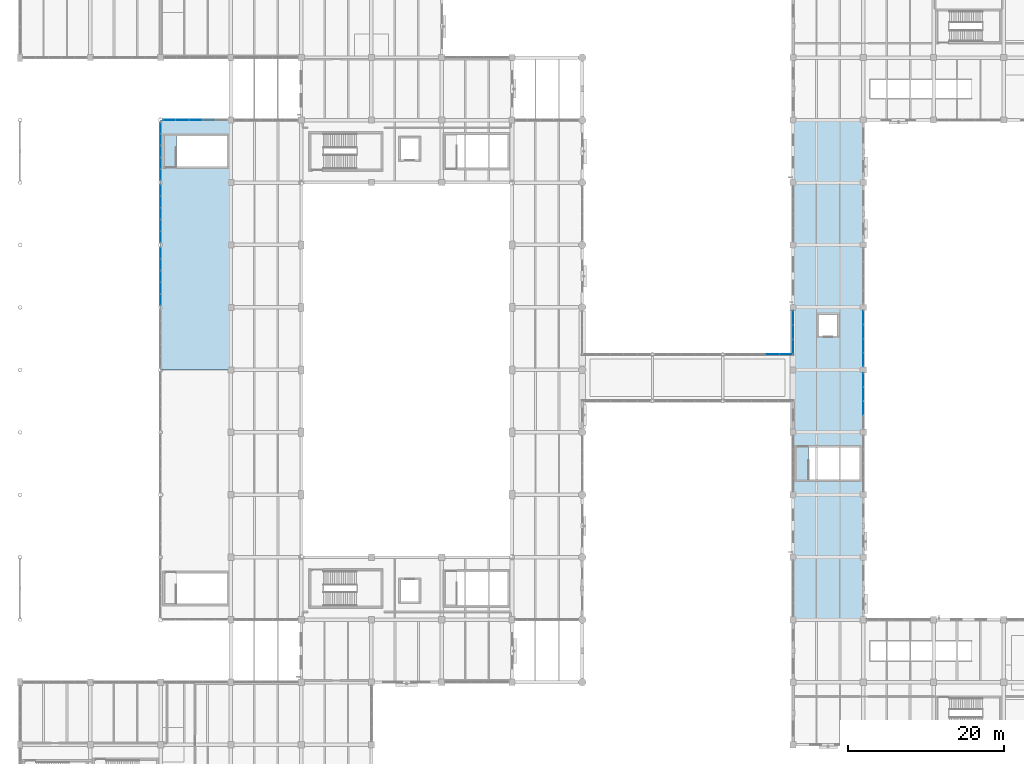
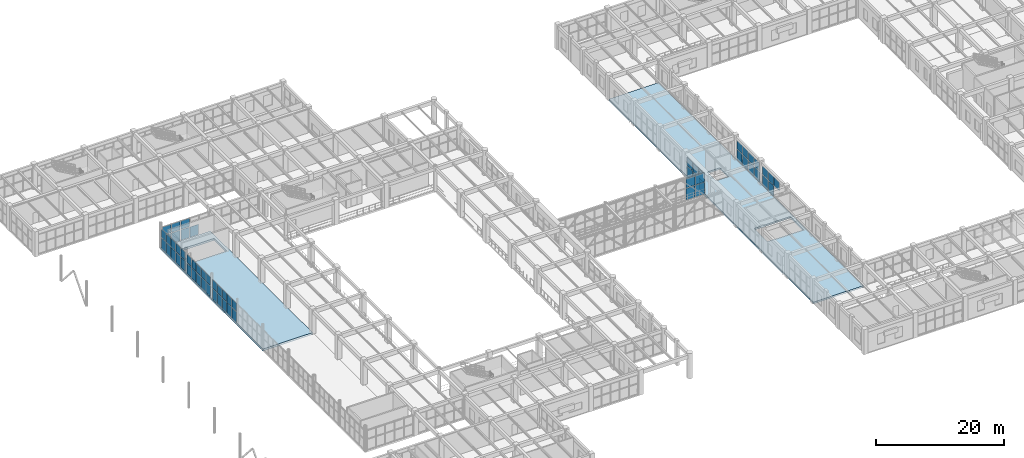
# One storey, part 144 of 178: 60 plates, 2 slabs, 8 elements without a shape of their own.
"""IFC4 building model written with IfcOpenShell, lengths in metres."""

from ifc_helpers import new_model, si_unit, derived_unit, direction, frame, origin, origin_2d, place, context, subcontext, project, spatial, polyline, rectangle, outline, extrude, material, layer, layer_set, type_object, element, aggregate, save


model = new_model("IFC4")

# Units and contexts
model_context = context("Model", 3, precision=1e-05, world=origin(), true_north=direction((0.0, 1.0)))
body_context = subcontext(model_context, "Body", "Model", "MODEL_VIEW")
ifc_project = project(units=[si_unit("LENGTHUNIT", "METRE"), si_unit("AREAUNIT", "SQUARE_METRE"), si_unit("VOLUMEUNIT", "CUBIC_METRE"), si_unit("PLANEANGLEUNIT", "RADIAN"), si_unit("MASSUNIT", "GRAM", prefix="KILO"), derived_unit("THERMALTRANSMITTANCEUNIT", [(si_unit("MASSUNIT", "GRAM", prefix="KILO"), 1), (si_unit("TIMEUNIT", "SECOND"), -3), (si_unit("THERMODYNAMICTEMPERATUREUNIT", "KELVIN"), -1)])], contexts=[model_context])

# Site, building, storey
site_placement = place(None, origin())
site = spatial("IfcSite", under=ifc_project, at=site_placement, CompositionType="ELEMENT")
building_placement = place(site_placement, origin())
building = spatial("IfcBuilding", under=site, at=building_placement, Name="Zhenchuan Archway Interchange", CompositionType="ELEMENT")
storey_placement = place(building_placement, frame((0.0, 0.0, 5.39990234375)))
storey = spatial("IfcBuildingStorey", under=building, at=storey_placement, Name="L01", CompositionType="ELEMENT", Elevation=5.39990234375)

# Curtain wall, plates
ifc_material_1 = material(Name="Anodised Aluminium", Category="aluminium")
curtain_wall_type_1 = type_object("IfcCurtainWallType", Name="CW_UNIT_3", PredefinedType="NOTDEFINED", material=ifc_material_1)
curtain_wall_1_placement = place(storey_placement, origin())
curtain_wall_1 = element("IfcCurtainWall", 1, at=curtain_wall_1_placement, inside=storey, type_object=curtain_wall_type_1, Name="Unitised curtain wall CW:L01:034", PredefinedType="NOTDEFINED")
ifc_material_2 = material(Name="Double Low-E Insulated Glazing", Category="glass")
ifc_layer_1 = layer(ifc_material_2, 0.028076171875)
ifc_layer_set_1 = layer_set([ifc_layer_1], Name="Double Low-E Insulated Glazing")
plate_type_1 = type_object("IfcPlateType", Name="CW_GLZ_1", PredefinedType="CURTAIN_PANEL", material=ifc_layer_set_1)
plate_1_placement = place(storey_placement, frame((18.0, 64.961181640625, 0.080078125), z_axis=(0.0, 0.0, 1.0), x_axis=(0.0, 1.0, 0.0)))
plate_1 = element("IfcPlate", 2, at=plate_1_placement, type_object=plate_type_1, Name="CW:L01:034 lower glazing panel 0", PredefinedType="CURTAIN_PANEL", context=body_context, shape_type="SweptSolid", body=[
    extrude(rectangle(XDim=1.3515625, YDim=0.028076171875, at=origin_2d()), origin(), (0.0, 0.0, 1.0), 1.98291015625),
])
plate_2_placement = place(storey_placement, frame((18.0, 66.462890625, 0.080078125), z_axis=(0.0, 0.0, 1.0), x_axis=(0.0, 1.0, 0.0)))
plate_2 = element("IfcPlate", 3, at=plate_2_placement, type_object=plate_type_1, Name="CW:L01:034 lower glazing panel 1", PredefinedType="CURTAIN_PANEL", context=body_context, shape_type="SweptSolid", body=[
    extrude(rectangle(XDim=1.37158203125, YDim=0.028076171875, at=origin_2d()), origin(), (0.0, 0.0, 1.0), 1.98291015625),
])
plate_3_placement = place(storey_placement, frame((18.0, 67.974609375, 0.080078125), z_axis=(0.0, 0.0, 1.0), x_axis=(0.0, 1.0, 0.0)))
plate_3 = element("IfcPlate", 4, at=plate_3_placement, type_object=plate_type_1, Name="CW:L01:034 lower glazing panel 2", PredefinedType="CURTAIN_PANEL", context=body_context, shape_type="SweptSolid", body=[
    extrude(rectangle(XDim=1.37158203125, YDim=0.028076171875, at=origin_2d()), origin(), (0.0, 0.0, 1.0), 1.98291015625),
])
plate_4_placement = place(storey_placement, frame((18.0, 69.486083984375, 0.080078125), z_axis=(0.0, 0.0, 1.0), x_axis=(0.0, 1.0, 0.0)))
plate_4 = element("IfcPlate", 5, at=plate_4_placement, type_object=plate_type_1, Name="CW:L01:034 lower glazing panel 3", PredefinedType="CURTAIN_PANEL", context=body_context, shape_type="SweptSolid", body=[
    extrude(rectangle(XDim=1.37158203125, YDim=0.028076171875, at=origin_2d()), origin(), (0.0, 0.0, 1.0), 1.98291015625),
])
plate_5_placement = place(storey_placement, frame((18.0, 70.98779296875, 0.080078125), z_axis=(0.0, 0.0, 1.0), x_axis=(0.0, 1.0, 0.0)))
plate_5 = element("IfcPlate", 6, at=plate_5_placement, type_object=plate_type_1, Name="CW:L01:034 lower glazing panel 4", PredefinedType="CURTAIN_PANEL", context=body_context, shape_type="SweptSolid", body=[
    extrude(rectangle(XDim=1.3515625, YDim=0.028076171875, at=origin_2d()), origin(), (0.0, 0.0, 1.0), 1.98291015625),
])

curtain_wall_type_2 = type_object("IfcCurtainWallType", Name="CW_UNIT_4", PredefinedType="NOTDEFINED", material=ifc_material_1)
curtain_wall_2_placement = place(storey_placement, origin())
curtain_wall_2 = element("IfcCurtainWall", 7, at=curtain_wall_2_placement, inside=storey, type_object=curtain_wall_type_2, Name="Unitised curtain wall CW:L01:035", PredefinedType="NOTDEFINED")
plate_6_placement = place(storey_placement, frame((18.0, 73.01220703125, 0.080078125), z_axis=(0.0, 0.0, 1.0), x_axis=(0.0, 1.0, 0.0)))
plate_6 = element("IfcPlate", 8, at=plate_6_placement, type_object=plate_type_1, Name="CW:L01:035 lower glazing panel 0", PredefinedType="CURTAIN_PANEL", context=body_context, shape_type="SweptSolid", body=[
    extrude(rectangle(XDim=1.3515625, YDim=0.028076171875, at=origin_2d()), origin(), (0.0, 0.0, 1.0), 1.98291015625),
])
plate_7_placement = place(storey_placement, frame((18.0, 74.513916015625, 0.080078125), z_axis=(0.0, 0.0, 1.0), x_axis=(0.0, 1.0, 0.0)))
plate_7 = element("IfcPlate", 9, at=plate_7_placement, type_object=plate_type_1, Name="CW:L01:035 lower glazing panel 1", PredefinedType="CURTAIN_PANEL", context=body_context, shape_type="SweptSolid", body=[
    extrude(rectangle(XDim=1.37158203125, YDim=0.028076171875, at=origin_2d()), origin(), (0.0, 0.0, 1.0), 1.98291015625),
])
plate_8_placement = place(storey_placement, frame((18.0, 76.025390625, 0.080078125), z_axis=(0.0, 0.0, 1.0), x_axis=(0.0, 1.0, 0.0)))
plate_8 = element("IfcPlate", 10, at=plate_8_placement, type_object=plate_type_1, Name="CW:L01:035 lower glazing panel 2", PredefinedType="CURTAIN_PANEL", context=body_context, shape_type="SweptSolid", body=[
    extrude(rectangle(XDim=1.37158203125, YDim=0.028076171875, at=origin_2d()), origin(), (0.0, 0.0, 1.0), 1.98291015625),
])
plate_9_placement = place(storey_placement, frame((18.0, 77.537109375, 0.080078125), z_axis=(0.0, 0.0, 1.0), x_axis=(0.0, 1.0, 0.0)))
plate_9 = element("IfcPlate", 11, at=plate_9_placement, type_object=plate_type_1, Name="CW:L01:035 lower glazing panel 3", PredefinedType="CURTAIN_PANEL", context=body_context, shape_type="SweptSolid", body=[
    extrude(rectangle(XDim=1.37158203125, YDim=0.028076171875, at=origin_2d()), origin(), (0.0, 0.0, 1.0), 1.98291015625),
])
plate_10_placement = place(storey_placement, frame((18.0, 79.038818359375, 0.080078125), z_axis=(0.0, 0.0, 1.0), x_axis=(0.0, 1.0, 0.0)))
plate_10 = element("IfcPlate", 12, at=plate_10_placement, type_object=plate_type_1, Name="CW:L01:035 lower glazing panel 4", PredefinedType="CURTAIN_PANEL", context=body_context, shape_type="SweptSolid", body=[
    extrude(rectangle(XDim=1.3515625, YDim=0.028076171875, at=origin_2d()), origin(), (0.0, 0.0, 1.0), 1.98291015625),
])

curtain_wall_type_3 = type_object("IfcCurtainWallType", Name="CW_UNIT_1", PredefinedType="NOTDEFINED", material=ifc_material_1)
curtain_wall_3_placement = place(storey_placement, origin())
curtain_wall_3 = element("IfcCurtainWall", 13, at=curtain_wall_3_placement, inside=storey, type_object=curtain_wall_type_3, Name="Unitised curtain wall CW:L01:036", PredefinedType="NOTDEFINED")
plate_11_placement = place(storey_placement, frame((18.0, 80.961181640625, 0.080078125), z_axis=(0.0, 0.0, 1.0), x_axis=(0.0, 1.0, 0.0)))
plate_11 = element("IfcPlate", 14, at=plate_11_placement, type_object=plate_type_1, Name="CW:L01:036 lower glazing panel 0", PredefinedType="CURTAIN_PANEL", context=body_context, shape_type="SweptSolid", body=[
    extrude(rectangle(XDim=1.3515625, YDim=0.028076171875, at=origin_2d()), origin(), (0.0, 0.0, 1.0), 1.98291015625),
])
plate_12_placement = place(storey_placement, frame((18.0, 82.462890625, 0.080078125), z_axis=(0.0, 0.0, 1.0), x_axis=(0.0, 1.0, 0.0)))
plate_12 = element("IfcPlate", 15, at=plate_12_placement, type_object=plate_type_1, Name="CW:L01:036 lower glazing panel 1", PredefinedType="CURTAIN_PANEL", context=body_context, shape_type="SweptSolid", body=[
    extrude(rectangle(XDim=1.37158203125, YDim=0.028076171875, at=origin_2d()), origin(), (0.0, 0.0, 1.0), 1.98291015625),
])
plate_13_placement = place(storey_placement, frame((18.0, 83.974609375, 0.080078125), z_axis=(0.0, 0.0, 1.0), x_axis=(0.0, 1.0, 0.0)))
plate_13 = element("IfcPlate", 16, at=plate_13_placement, type_object=plate_type_1, Name="CW:L01:036 lower glazing panel 2", PredefinedType="CURTAIN_PANEL", context=body_context, shape_type="SweptSolid", body=[
    extrude(rectangle(XDim=1.37158203125, YDim=0.028076171875, at=origin_2d()), origin(), (0.0, 0.0, 1.0), 1.98291015625),
])
plate_14_placement = place(storey_placement, frame((18.0, 85.486083984375, 0.080078125), z_axis=(0.0, 0.0, 1.0), x_axis=(0.0, 1.0, 0.0)))
plate_14 = element("IfcPlate", 17, at=plate_14_placement, type_object=plate_type_1, Name="CW:L01:036 lower glazing panel 3", PredefinedType="CURTAIN_PANEL", context=body_context, shape_type="SweptSolid", body=[
    extrude(rectangle(XDim=1.37158203125, YDim=0.028076171875, at=origin_2d()), origin(), (0.0, 0.0, 1.0), 1.98291015625),
])
plate_15_placement = place(storey_placement, frame((18.0, 86.98779296875, 0.080078125), z_axis=(0.0, 0.0, 1.0), x_axis=(0.0, 1.0, 0.0)))
plate_15 = element("IfcPlate", 18, at=plate_15_placement, type_object=plate_type_1, Name="CW:L01:036 lower glazing panel 4", PredefinedType="CURTAIN_PANEL", context=body_context, shape_type="SweptSolid", body=[
    extrude(rectangle(XDim=1.3515625, YDim=0.028076171875, at=origin_2d()), origin(), (0.0, 0.0, 1.0), 1.98291015625),
])

curtain_wall_type_4 = type_object("IfcCurtainWallType", Name="CW_UNIT_2", PredefinedType="NOTDEFINED", material=ifc_material_1)
curtain_wall_4_placement = place(storey_placement, origin())
curtain_wall_4 = element("IfcCurtainWall", 19, at=curtain_wall_4_placement, inside=storey, type_object=curtain_wall_type_4, Name="Unitised curtain wall CW:L01:037", PredefinedType="NOTDEFINED")
plate_16_placement = place(storey_placement, frame((19.09521484375, 88.0, 0.080078125), z_axis=(0.0, 0.0, 1.0), x_axis=(1.0, 0.0, 0.0)))
plate_16 = element("IfcPlate", 20, at=plate_16_placement, type_object=plate_type_1, Name="CW:L01:037 lower glazing panel 0", PredefinedType="CURTAIN_PANEL", context=body_context, shape_type="SweptSolid", body=[
    extrude(rectangle(XDim=1.51708984375, YDim=0.028076171875, at=origin_2d()), origin(), (0.0, 0.0, 1.0), 1.98291015625),
])
plate_17_placement = place(storey_placement, frame((20.76220703125, 88.0, 0.080078125), z_axis=(0.0, 0.0, 1.0), x_axis=(1.0, 0.0, 0.0)))
plate_17 = element("IfcPlate", 21, at=plate_17_placement, type_object=plate_type_1, Name="CW:L01:037 lower glazing panel 1", PredefinedType="CURTAIN_PANEL", context=body_context, shape_type="SweptSolid", body=[
    extrude(rectangle(XDim=1.537109375, YDim=0.028076171875, at=origin_2d()), origin(), (0.0, 0.0, 1.0), 1.98291015625),
])
plate_18_placement = place(storey_placement, frame((22.439208984375, 88.0, 0.080078125), z_axis=(0.0, 0.0, 1.0), x_axis=(1.0, 0.0, 0.0)))
plate_18 = element("IfcPlate", 22, at=plate_18_placement, type_object=plate_type_1, Name="CW:L01:037 lower glazing panel 2", PredefinedType="CURTAIN_PANEL", context=body_context, shape_type="SweptSolid", body=[
    extrude(rectangle(XDim=1.537109375, YDim=0.028076171875, at=origin_2d()), origin(), (0.0, 0.0, 1.0), 1.98291015625),
])
plate_19_placement = place(storey_placement, frame((24.116455078125, 88.0, 0.080078125), z_axis=(0.0, 0.0, 1.0), x_axis=(1.0, 0.0, 0.0)))
plate_19 = element("IfcPlate", 23, at=plate_19_placement, type_object=plate_type_1, Name="CW:L01:037 lower glazing panel 3", PredefinedType="CURTAIN_PANEL", context=body_context, shape_type="SweptSolid", body=[
    extrude(rectangle(XDim=1.537109375, YDim=0.028076171875, at=origin_2d()), origin(), (0.0, 0.0, 1.0), 1.98291015625),
])

# Plate
ifc_layer_2 = layer(ifc_material_2, 0.02587890625)
ifc_layer_set_2 = layer_set([ifc_layer_2], Name="Double Low-E Insulated Glazing")
plate_type_2 = type_object("IfcPlateType", Name="CW_GLZ_2", PredefinedType="CURTAIN_PANEL", material=ifc_layer_set_2)
plate_20_placement = place(storey_placement, frame((18.0, 64.961181640625, 2.18310546875), z_axis=(0.0, 0.0, 1.0), x_axis=(0.0, 1.0, 0.0)))
plate_20 = element("IfcPlate", 24, at=plate_20_placement, type_object=plate_type_2, Name="CW:L01:034 upper glazing panel 0", PredefinedType="CURTAIN_PANEL", context=body_context, shape_type="SweptSolid", body=[
    extrude(rectangle(XDim=1.3515625, YDim=0.02587890625, at=origin_2d()), origin(), (0.0, 0.0, 1.0), 1.596923828125),
])

plate_21_placement = place(storey_placement, frame((18.0, 66.462890625, 2.18310546875), z_axis=(0.0, 0.0, 1.0), x_axis=(0.0, 1.0, 0.0)))
plate_21 = element("IfcPlate", 25, at=plate_21_placement, type_object=plate_type_2, Name="CW:L01:034 upper glazing panel 1", PredefinedType="CURTAIN_PANEL", context=body_context, shape_type="SweptSolid", body=[
    extrude(rectangle(XDim=1.37158203125, YDim=0.02587890625, at=origin_2d()), origin(), (0.0, 0.0, 1.0), 1.596923828125),
])

plate_22_placement = place(storey_placement, frame((18.0, 67.974609375, 2.18310546875), z_axis=(0.0, 0.0, 1.0), x_axis=(0.0, 1.0, 0.0)))
plate_22 = element("IfcPlate", 26, at=plate_22_placement, type_object=plate_type_2, Name="CW:L01:034 upper glazing panel 2", PredefinedType="CURTAIN_PANEL", context=body_context, shape_type="SweptSolid", body=[
    extrude(rectangle(XDim=1.37158203125, YDim=0.02587890625, at=origin_2d()), origin(), (0.0, 0.0, 1.0), 1.596923828125),
])

plate_23_placement = place(storey_placement, frame((18.0, 69.486083984375, 2.18310546875), z_axis=(0.0, 0.0, 1.0), x_axis=(0.0, 1.0, 0.0)))
plate_23 = element("IfcPlate", 27, at=plate_23_placement, type_object=plate_type_2, Name="CW:L01:034 upper glazing panel 3", PredefinedType="CURTAIN_PANEL", context=body_context, shape_type="SweptSolid", body=[
    extrude(rectangle(XDim=1.37158203125, YDim=0.02587890625, at=origin_2d()), origin(), (0.0, 0.0, 1.0), 1.596923828125),
])

plate_24_placement = place(storey_placement, frame((18.0, 70.98779296875, 2.18310546875), z_axis=(0.0, 0.0, 1.0), x_axis=(0.0, 1.0, 0.0)))
plate_24 = element("IfcPlate", 28, at=plate_24_placement, type_object=plate_type_2, Name="CW:L01:034 upper glazing panel 4", PredefinedType="CURTAIN_PANEL", context=body_context, shape_type="SweptSolid", body=[
    extrude(rectangle(XDim=1.3515625, YDim=0.02587890625, at=origin_2d()), origin(), (0.0, 0.0, 1.0), 1.596923828125),
])

aggregate(curtain_wall_1, [plate_1, plate_20, plate_2, plate_21, plate_3, plate_22, plate_4, plate_23, plate_5, plate_24])

plate_25_placement = place(storey_placement, frame((18.0, 73.01220703125, 2.18310546875), z_axis=(0.0, 0.0, 1.0), x_axis=(0.0, 1.0, 0.0)))
plate_25 = element("IfcPlate", 29, at=plate_25_placement, type_object=plate_type_2, Name="CW:L01:035 upper glazing panel 0", PredefinedType="CURTAIN_PANEL", context=body_context, shape_type="SweptSolid", body=[
    extrude(rectangle(XDim=1.3515625, YDim=0.02587890625, at=origin_2d()), origin(), (0.0, 0.0, 1.0), 1.596923828125),
])

plate_26_placement = place(storey_placement, frame((18.0, 74.513916015625, 2.18310546875), z_axis=(0.0, 0.0, 1.0), x_axis=(0.0, 1.0, 0.0)))
plate_26 = element("IfcPlate", 30, at=plate_26_placement, type_object=plate_type_2, Name="CW:L01:035 upper glazing panel 1", PredefinedType="CURTAIN_PANEL", context=body_context, shape_type="SweptSolid", body=[
    extrude(rectangle(XDim=1.37158203125, YDim=0.02587890625, at=origin_2d()), origin(), (0.0, 0.0, 1.0), 1.596923828125),
])

plate_27_placement = place(storey_placement, frame((18.0, 76.025390625, 2.18310546875), z_axis=(0.0, 0.0, 1.0), x_axis=(0.0, 1.0, 0.0)))
plate_27 = element("IfcPlate", 31, at=plate_27_placement, type_object=plate_type_2, Name="CW:L01:035 upper glazing panel 2", PredefinedType="CURTAIN_PANEL", context=body_context, shape_type="SweptSolid", body=[
    extrude(rectangle(XDim=1.37158203125, YDim=0.02587890625, at=origin_2d()), origin(), (0.0, 0.0, 1.0), 1.596923828125),
])

plate_28_placement = place(storey_placement, frame((18.0, 77.537109375, 2.18310546875), z_axis=(0.0, 0.0, 1.0), x_axis=(0.0, 1.0, 0.0)))
plate_28 = element("IfcPlate", 32, at=plate_28_placement, type_object=plate_type_2, Name="CW:L01:035 upper glazing panel 3", PredefinedType="CURTAIN_PANEL", context=body_context, shape_type="SweptSolid", body=[
    extrude(rectangle(XDim=1.37158203125, YDim=0.02587890625, at=origin_2d()), origin(), (0.0, 0.0, 1.0), 1.596923828125),
])

plate_29_placement = place(storey_placement, frame((18.0, 79.038818359375, 2.18310546875), z_axis=(0.0, 0.0, 1.0), x_axis=(0.0, 1.0, 0.0)))
plate_29 = element("IfcPlate", 33, at=plate_29_placement, type_object=plate_type_2, Name="CW:L01:035 upper glazing panel 4", PredefinedType="CURTAIN_PANEL", context=body_context, shape_type="SweptSolid", body=[
    extrude(rectangle(XDim=1.3515625, YDim=0.02587890625, at=origin_2d()), origin(), (0.0, 0.0, 1.0), 1.596923828125),
])

aggregate(curtain_wall_2, [plate_6, plate_25, plate_7, plate_26, plate_8, plate_27, plate_9, plate_28, plate_10, plate_29])

plate_30_placement = place(storey_placement, frame((18.0, 80.961181640625, 2.18310546875), z_axis=(0.0, 0.0, 1.0), x_axis=(0.0, 1.0, 0.0)))
plate_30 = element("IfcPlate", 34, at=plate_30_placement, type_object=plate_type_2, Name="CW:L01:036 upper glazing panel 0", PredefinedType="CURTAIN_PANEL", context=body_context, shape_type="SweptSolid", body=[
    extrude(rectangle(XDim=1.3515625, YDim=0.02587890625, at=origin_2d()), origin(), (0.0, 0.0, 1.0), 1.596923828125),
])

plate_31_placement = place(storey_placement, frame((18.0, 82.462890625, 2.18310546875), z_axis=(0.0, 0.0, 1.0), x_axis=(0.0, 1.0, 0.0)))
plate_31 = element("IfcPlate", 35, at=plate_31_placement, type_object=plate_type_2, Name="CW:L01:036 upper glazing panel 1", PredefinedType="CURTAIN_PANEL", context=body_context, shape_type="SweptSolid", body=[
    extrude(rectangle(XDim=1.37158203125, YDim=0.02587890625, at=origin_2d()), origin(), (0.0, 0.0, 1.0), 1.596923828125),
])

plate_32_placement = place(storey_placement, frame((18.0, 83.974609375, 2.18310546875), z_axis=(0.0, 0.0, 1.0), x_axis=(0.0, 1.0, 0.0)))
plate_32 = element("IfcPlate", 36, at=plate_32_placement, type_object=plate_type_2, Name="CW:L01:036 upper glazing panel 2", PredefinedType="CURTAIN_PANEL", context=body_context, shape_type="SweptSolid", body=[
    extrude(rectangle(XDim=1.37158203125, YDim=0.02587890625, at=origin_2d()), origin(), (0.0, 0.0, 1.0), 1.596923828125),
])

plate_33_placement = place(storey_placement, frame((18.0, 85.486083984375, 2.18310546875), z_axis=(0.0, 0.0, 1.0), x_axis=(0.0, 1.0, 0.0)))
plate_33 = element("IfcPlate", 37, at=plate_33_placement, type_object=plate_type_2, Name="CW:L01:036 upper glazing panel 3", PredefinedType="CURTAIN_PANEL", context=body_context, shape_type="SweptSolid", body=[
    extrude(rectangle(XDim=1.37158203125, YDim=0.02587890625, at=origin_2d()), origin(), (0.0, 0.0, 1.0), 1.596923828125),
])

plate_34_placement = place(storey_placement, frame((18.0, 86.98779296875, 2.18310546875), z_axis=(0.0, 0.0, 1.0), x_axis=(0.0, 1.0, 0.0)))
plate_34 = element("IfcPlate", 38, at=plate_34_placement, type_object=plate_type_2, Name="CW:L01:036 upper glazing panel 4", PredefinedType="CURTAIN_PANEL", context=body_context, shape_type="SweptSolid", body=[
    extrude(rectangle(XDim=1.3515625, YDim=0.02587890625, at=origin_2d()), origin(), (0.0, 0.0, 1.0), 1.596923828125),
])

aggregate(curtain_wall_3, [plate_11, plate_30, plate_12, plate_31, plate_13, plate_32, plate_14, plate_33, plate_15, plate_34])

plate_35_placement = place(storey_placement, frame((19.09521484375, 88.0, 2.18310546875), z_axis=(0.0, 0.0, 1.0), x_axis=(1.0, 0.0, 0.0)))
plate_35 = element("IfcPlate", 39, at=plate_35_placement, type_object=plate_type_2, Name="CW:L01:037 upper glazing panel 0", PredefinedType="CURTAIN_PANEL", context=body_context, shape_type="SweptSolid", body=[
    extrude(rectangle(XDim=1.51708984375, YDim=0.02587890625, at=origin_2d()), origin(), (0.0, 0.0, 1.0), 1.596923828125),
])

plate_36_placement = place(storey_placement, frame((20.76220703125, 88.0, 2.18310546875), z_axis=(0.0, 0.0, 1.0), x_axis=(1.0, 0.0, 0.0)))
plate_36 = element("IfcPlate", 40, at=plate_36_placement, type_object=plate_type_2, Name="CW:L01:037 upper glazing panel 1", PredefinedType="CURTAIN_PANEL", context=body_context, shape_type="SweptSolid", body=[
    extrude(rectangle(XDim=1.537109375, YDim=0.02587890625, at=origin_2d()), origin(), (0.0, 0.0, 1.0), 1.596923828125),
])

plate_37_placement = place(storey_placement, frame((22.439208984375, 88.0, 2.18310546875), z_axis=(0.0, 0.0, 1.0), x_axis=(1.0, 0.0, 0.0)))
plate_37 = element("IfcPlate", 41, at=plate_37_placement, type_object=plate_type_2, Name="CW:L01:037 upper glazing panel 2", PredefinedType="CURTAIN_PANEL", context=body_context, shape_type="SweptSolid", body=[
    extrude(rectangle(XDim=1.537109375, YDim=0.02587890625, at=origin_2d()), origin(), (0.0, 0.0, 1.0), 1.596923828125),
])

aggregate(curtain_wall_4, [plate_16, plate_35, plate_17, plate_36, plate_18, plate_37, plate_19])

# Curtain wall, plates
curtain_wall_5_placement = place(storey_placement, origin())
curtain_wall_5 = element("IfcCurtainWall", 42, at=curtain_wall_5_placement, inside=storey, type_object=curtain_wall_type_4, Name="Unitised curtain wall CW:L01:057", PredefinedType="NOTDEFINED")
ifc_layer_3 = layer(ifc_material_2, 0.030029296875)
ifc_layer_set_3 = layer_set([ifc_layer_3], Name="Double Low-E Insulated Glazing")
plate_type_3 = type_object("IfcPlateType", Name="CW_GLZ_3", PredefinedType="CURTAIN_PANEL", material=ifc_layer_set_3)
plate_38_placement = place(storey_placement, frame((96.358642578125, 58.0, 0.080078125), z_axis=(0.0, 0.0, 1.0), x_axis=(1.0, 0.0, 0.0)))
plate_38 = element("IfcPlate", 43, at=plate_38_placement, type_object=plate_type_3, Name="CW:L01:057 lower glazing panel 3", PredefinedType="CURTAIN_PANEL", context=body_context, shape_type="SweptSolid", body=[
    extrude(rectangle(XDim=1.620849609375, YDim=0.028076171875, at=origin_2d()), origin(), (0.0, 0.0, 1.0), 2.214111328125),
])
plate_39_placement = place(storey_placement, frame((98.109619140625, 58.0, 0.080078125), z_axis=(0.0, 0.0, 1.0), x_axis=(1.0, 0.0, 0.0)))
plate_39 = element("IfcPlate", 44, at=plate_39_placement, type_object=plate_type_3, Name="CW:L01:057 lower glazing panel 4", PredefinedType="CURTAIN_PANEL", context=body_context, shape_type="SweptSolid", body=[
    extrude(rectangle(XDim=1.600830078125, YDim=0.028076171875, at=origin_2d()), origin(), (0.0, 0.0, 1.0), 2.214111328125),
])

curtain_wall_6_placement = place(storey_placement, origin())
curtain_wall_6 = element("IfcCurtainWall", 45, at=curtain_wall_6_placement, inside=storey, type_object=curtain_wall_type_1, Name="Unitised curtain wall CW:L01:058", PredefinedType="NOTDEFINED")
plate_40_placement = place(storey_placement, frame((99.0, 58.94873046875, 0.080078125), z_axis=(0.0, 0.0, 1.0), x_axis=(0.0, 1.0, 0.0)))
plate_40 = element("IfcPlate", 46, at=plate_40_placement, type_object=plate_type_3, Name="CW:L01:058 lower glazing panel 0", PredefinedType="CURTAIN_PANEL", context=body_context, shape_type="SweptSolid", body=[
    extrude(rectangle(XDim=1.71728515625, YDim=0.028076171875, at=origin_2d()), origin(), (0.0, 0.0, 1.0), 1.98291015625),
])
plate_41_placement = place(storey_placement, frame((99.0, 60.81591796875, 0.080078125), z_axis=(0.0, 0.0, 1.0), x_axis=(0.0, 1.0, 0.0)))
plate_41 = element("IfcPlate", 47, at=plate_41_placement, type_object=plate_type_3, Name="CW:L01:058 lower glazing panel 1", PredefinedType="CURTAIN_PANEL", context=body_context, shape_type="SweptSolid", body=[
    extrude(rectangle(XDim=1.7373046875, YDim=0.028076171875, at=origin_2d()), origin(), (0.0, 0.0, 1.0), 1.98291015625),
])
plate_42_placement = place(storey_placement, frame((99.0, 62.683349609375, 0.080078125), z_axis=(0.0, 0.0, 1.0), x_axis=(0.0, 1.0, 0.0)))
plate_42 = element("IfcPlate", 48, at=plate_42_placement, type_object=plate_type_3, Name="CW:L01:058 lower glazing panel 2", PredefinedType="CURTAIN_PANEL", context=body_context, shape_type="SweptSolid", body=[
    extrude(rectangle(XDim=1.71728515625, YDim=0.028076171875, at=origin_2d()), origin(), (0.0, 0.0, 1.0), 1.98291015625),
])

curtain_wall_7_placement = place(storey_placement, origin())
curtain_wall_7 = element("IfcCurtainWall", 49, at=curtain_wall_7_placement, inside=storey, type_object=curtain_wall_type_2, Name="Unitised curtain wall CW:L01:099", PredefinedType="NOTDEFINED")
plate_43_placement = place(storey_placement, frame((108.0, 62.714111328125, 0.080078125), z_axis=(0.0, 0.0, 1.0), x_axis=(0.0, -1.0, 0.0)))
plate_43 = element("IfcPlate", 50, at=plate_43_placement, type_object=plate_type_3, Name="CW:L01:099 lower glazing panel 0", PredefinedType="CURTAIN_PANEL", context=body_context, shape_type="SweptSolid", body=[
    extrude(rectangle(XDim=1.656005859375, YDim=0.028076171875, at=origin_2d()), origin(), (0.0, 0.0, 1.0), 1.98291015625),
])
plate_44_placement = place(storey_placement, frame((108.0, 60.907958984375, 0.080078125), z_axis=(0.0, 0.0, 1.0), x_axis=(0.0, -1.0, 0.0)))
plate_44 = element("IfcPlate", 51, at=plate_44_placement, type_object=plate_type_3, Name="CW:L01:099 lower glazing panel 1", PredefinedType="CURTAIN_PANEL", context=body_context, shape_type="SweptSolid", body=[
    extrude(rectangle(XDim=1.676025390625, YDim=0.028076171875, at=origin_2d()), origin(), (0.0, 0.0, 1.0), 1.98291015625),
])
plate_45_placement = place(storey_placement, frame((108.0, 59.092041015625, 0.080078125), z_axis=(0.0, 0.0, 1.0), x_axis=(0.0, -1.0, 0.0)))
plate_45 = element("IfcPlate", 52, at=plate_45_placement, type_object=plate_type_3, Name="CW:L01:099 lower glazing panel 2", PredefinedType="CURTAIN_PANEL", context=body_context, shape_type="SweptSolid", body=[
    extrude(rectangle(XDim=1.676025390625, YDim=0.028076171875, at=origin_2d()), origin(), (0.0, 0.0, 1.0), 1.98291015625),
])
plate_46_placement = place(storey_placement, frame((108.0, 57.285888671875, 0.080078125), z_axis=(0.0, 0.0, 1.0), x_axis=(0.0, -1.0, 0.0)))
plate_46 = element("IfcPlate", 53, at=plate_46_placement, type_object=plate_type_3, Name="CW:L01:099 lower glazing panel 3", PredefinedType="CURTAIN_PANEL", context=body_context, shape_type="SweptSolid", body=[
    extrude(rectangle(XDim=1.656005859375, YDim=0.028076171875, at=origin_2d()), origin(), (0.0, 0.0, 1.0), 1.98291015625),
])

curtain_wall_8_placement = place(storey_placement, origin())
curtain_wall_8 = element("IfcCurtainWall", 54, at=curtain_wall_8_placement, inside=storey, type_object=curtain_wall_type_3, Name="Unitised curtain wall CW:L01:100", PredefinedType="NOTDEFINED")
plate_47_placement = place(storey_placement, frame((108.0, 54.714111328125, 0.080078125), z_axis=(0.0, 0.0, 1.0), x_axis=(0.0, -1.0, 0.0)))
plate_47 = element("IfcPlate", 55, at=plate_47_placement, type_object=plate_type_3, Name="CW:L01:100 lower glazing panel 0", PredefinedType="CURTAIN_PANEL", context=body_context, shape_type="SweptSolid", body=[
    extrude(rectangle(XDim=1.656005859375, YDim=0.028076171875, at=origin_2d()), origin(), (0.0, 0.0, 1.0), 1.98291015625),
])
plate_48_placement = place(storey_placement, frame((108.0, 52.907958984375, 0.080078125), z_axis=(0.0, 0.0, 1.0), x_axis=(0.0, -1.0, 0.0)))
plate_48 = element("IfcPlate", 56, at=plate_48_placement, type_object=plate_type_3, Name="CW:L01:100 lower glazing panel 1", PredefinedType="CURTAIN_PANEL", context=body_context, shape_type="SweptSolid", body=[
    extrude(rectangle(XDim=1.676025390625, YDim=0.028076171875, at=origin_2d()), origin(), (0.0, 0.0, 1.0), 1.98291015625),
])

# Plate
ifc_layer_4 = layer(ifc_material_2, 0.02392578125)
ifc_layer_set_4 = layer_set([ifc_layer_4], Name="Double Low-E Insulated Glazing")
plate_type_4 = type_object("IfcPlateType", Name="CW_GLZ_4", PredefinedType="CURTAIN_PANEL", material=ifc_layer_set_4)
plate_49_placement = place(storey_placement, frame((96.358642578125, 58.0, 2.4140625), z_axis=(0.0, 0.0, 1.0), x_axis=(1.0, 0.0, 0.0)))
plate_49 = element("IfcPlate", 57, at=plate_49_placement, type_object=plate_type_4, Name="CW:L01:057 upper glazing panel 3", PredefinedType="CURTAIN_PANEL", context=body_context, shape_type="SweptSolid", body=[
    extrude(rectangle(XDim=1.620849609375, YDim=0.02587890625, at=origin_2d()), origin(), (0.0, 0.0, 1.0), 1.785888671875),
])

plate_50_placement = place(storey_placement, frame((98.109619140625, 58.0, 2.4140625), z_axis=(0.0, 0.0, 1.0), x_axis=(1.0, 0.0, 0.0)))
plate_50 = element("IfcPlate", 58, at=plate_50_placement, type_object=plate_type_4, Name="CW:L01:057 upper glazing panel 4", PredefinedType="CURTAIN_PANEL", context=body_context, shape_type="SweptSolid", body=[
    extrude(rectangle(XDim=1.600830078125, YDim=0.02587890625, at=origin_2d()), origin(), (0.0, 0.0, 1.0), 1.785888671875),
])

aggregate(curtain_wall_5, [plate_38, plate_49, plate_39, plate_50])

plate_51_placement = place(storey_placement, frame((99.0, 58.94873046875, 2.18310546875), z_axis=(0.0, 0.0, 1.0), x_axis=(0.0, 1.0, 0.0)))
plate_51 = element("IfcPlate", 59, at=plate_51_placement, type_object=plate_type_4, Name="CW:L01:058 upper glazing panel 0", PredefinedType="CURTAIN_PANEL", context=body_context, shape_type="SweptSolid", body=[
    extrude(rectangle(XDim=1.71728515625, YDim=0.02587890625, at=origin_2d()), origin(), (0.0, 0.0, 1.0), 1.596923828125),
])

plate_52_placement = place(storey_placement, frame((99.0, 60.81591796875, 2.18310546875), z_axis=(0.0, 0.0, 1.0), x_axis=(0.0, 1.0, 0.0)))
plate_52 = element("IfcPlate", 60, at=plate_52_placement, type_object=plate_type_4, Name="CW:L01:058 upper glazing panel 1", PredefinedType="CURTAIN_PANEL", context=body_context, shape_type="SweptSolid", body=[
    extrude(rectangle(XDim=1.7373046875, YDim=0.02587890625, at=origin_2d()), origin(), (0.0, 0.0, 1.0), 1.596923828125),
])

plate_53_placement = place(storey_placement, frame((99.0, 62.683349609375, 2.18310546875), z_axis=(0.0, 0.0, 1.0), x_axis=(0.0, 1.0, 0.0)))
plate_53 = element("IfcPlate", 61, at=plate_53_placement, type_object=plate_type_4, Name="CW:L01:058 upper glazing panel 2", PredefinedType="CURTAIN_PANEL", context=body_context, shape_type="SweptSolid", body=[
    extrude(rectangle(XDim=1.71728515625, YDim=0.02587890625, at=origin_2d()), origin(), (0.0, 0.0, 1.0), 1.596923828125),
])

aggregate(curtain_wall_6, [plate_40, plate_51, plate_41, plate_52, plate_42, plate_53])

plate_54_placement = place(storey_placement, frame((108.0, 62.714111328125, 2.18310546875), z_axis=(0.0, 0.0, 1.0), x_axis=(0.0, -1.0, 0.0)))
plate_54 = element("IfcPlate", 62, at=plate_54_placement, type_object=plate_type_4, Name="CW:L01:099 upper glazing panel 0", PredefinedType="CURTAIN_PANEL", context=body_context, shape_type="SweptSolid", body=[
    extrude(rectangle(XDim=1.656005859375, YDim=0.02587890625, at=origin_2d()), origin(), (0.0, 0.0, 1.0), 1.596923828125),
])

plate_55_placement = place(storey_placement, frame((108.0, 60.907958984375, 2.18310546875), z_axis=(0.0, 0.0, 1.0), x_axis=(0.0, -1.0, 0.0)))
plate_55 = element("IfcPlate", 63, at=plate_55_placement, type_object=plate_type_4, Name="CW:L01:099 upper glazing panel 1", PredefinedType="CURTAIN_PANEL", context=body_context, shape_type="SweptSolid", body=[
    extrude(rectangle(XDim=1.676025390625, YDim=0.02587890625, at=origin_2d()), origin(), (0.0, 0.0, 1.0), 1.596923828125),
])

plate_56_placement = place(storey_placement, frame((108.0, 59.092041015625, 2.18310546875), z_axis=(0.0, 0.0, 1.0), x_axis=(0.0, -1.0, 0.0)))
plate_56 = element("IfcPlate", 64, at=plate_56_placement, type_object=plate_type_4, Name="CW:L01:099 upper glazing panel 2", PredefinedType="CURTAIN_PANEL", context=body_context, shape_type="SweptSolid", body=[
    extrude(rectangle(XDim=1.676025390625, YDim=0.02587890625, at=origin_2d()), origin(), (0.0, 0.0, 1.0), 1.596923828125),
])

plate_57_placement = place(storey_placement, frame((108.0, 57.285888671875, 2.18310546875), z_axis=(0.0, 0.0, 1.0), x_axis=(0.0, -1.0, 0.0)))
plate_57 = element("IfcPlate", 65, at=plate_57_placement, type_object=plate_type_4, Name="CW:L01:099 upper glazing panel 3", PredefinedType="CURTAIN_PANEL", context=body_context, shape_type="SweptSolid", body=[
    extrude(rectangle(XDim=1.656005859375, YDim=0.02587890625, at=origin_2d()), origin(), (0.0, 0.0, 1.0), 1.596923828125),
])

aggregate(curtain_wall_7, [plate_43, plate_54, plate_44, plate_55, plate_45, plate_56, plate_46, plate_57])

plate_58_placement = place(storey_placement, frame((108.0, 54.714111328125, 2.18310546875), z_axis=(0.0, 0.0, 1.0), x_axis=(0.0, -1.0, 0.0)))
plate_58 = element("IfcPlate", 66, at=plate_58_placement, type_object=plate_type_4, Name="CW:L01:100 upper glazing panel 0", PredefinedType="CURTAIN_PANEL", context=body_context, shape_type="SweptSolid", body=[
    extrude(rectangle(XDim=1.656005859375, YDim=0.02587890625, at=origin_2d()), origin(), (0.0, 0.0, 1.0), 1.596923828125),
])

plate_59_placement = place(storey_placement, frame((108.0, 52.907958984375, 2.18310546875), z_axis=(0.0, 0.0, 1.0), x_axis=(0.0, -1.0, 0.0)))
plate_59 = element("IfcPlate", 67, at=plate_59_placement, type_object=plate_type_4, Name="CW:L01:100 upper glazing panel 1", PredefinedType="CURTAIN_PANEL", context=body_context, shape_type="SweptSolid", body=[
    extrude(rectangle(XDim=1.676025390625, YDim=0.02587890625, at=origin_2d()), origin(), (0.0, 0.0, 1.0), 1.596923828125),
])

plate_60_placement = place(storey_placement, frame((108.0, 51.092041015625, 2.18310546875), z_axis=(0.0, 0.0, 1.0), x_axis=(0.0, -1.0, 0.0)))
plate_60 = element("IfcPlate", 68, at=plate_60_placement, type_object=plate_type_4, Name="CW:L01:100 upper glazing panel 2", PredefinedType="CURTAIN_PANEL", context=body_context, shape_type="SweptSolid", body=[
    extrude(rectangle(XDim=1.676025390625, YDim=0.02587890625, at=origin_2d()), origin(), (0.0, 0.0, 1.0), 1.596923828125),
])

aggregate(curtain_wall_8, [plate_47, plate_58, plate_48, plate_59, plate_60])

# Slabs
ifc_material_3 = material(Name="Concrete C40", Category="concrete")
ifc_layer_5 = layer(ifc_material_3, 0.320068359375)
ifc_layer_set_5 = layer_set([ifc_layer_5], Name="Concrete C40")
slab_type_1 = type_object("IfcSlabType", Name="SLB_FLR_320", PredefinedType="FLOOR", material=ifc_layer_set_5)
slab_1_placement = place(storey_placement, frame((0.0, 0.0, -0.31982421875)))
element("IfcSlab", 69, at=slab_1_placement, inside=storey, type_object=slab_type_1, Name="Structural slab L01 OPS-GAL", PredefinedType="FLOOR", context=body_context, shape_type="SweptSolid", body=[
    extrude(outline(polyline([(99.0, 88.0), (108.0, 88.0), (108.0, 24.0), (99.0, 24.0), (99.0, 88.0)]), holes=[polyline([(107.514892578125, 46.074951171875), (101.0048828125, 46.074951171875), (101.0048828125, 41.925048828125), (107.514892578125, 41.925048828125), (107.514892578125, 46.074951171875)]), polyline([(104.679931640625, 60.320068359375), (104.679931640625, 63.080078125), (102.320068359375, 63.080078125), (102.320068359375, 60.320068359375), (104.679931640625, 60.320068359375)])]), origin(), (0.0, 0.0, 1.0), 0.31982421875),
])
ifc_layer_6 = layer(ifc_material_3, 0.3798828125)
ifc_layer_set_6 = layer_set([ifc_layer_6], Name="Concrete C40")
slab_type_2 = type_object("IfcSlabType", Name="SLB_FLR_380", PredefinedType="FLOOR", material=ifc_layer_set_6)
slab_2_placement = place(storey_placement, frame((0.0, 0.0, -0.3798828125)))
element("IfcSlab", 70, at=slab_2_placement, inside=storey, type_object=slab_type_2, Name="Structural slab L01 BUS-WLK-N", PredefinedType="FLOOR", context=body_context, shape_type="SweptSolid", body=[
    extrude(outline(polyline([(18.0, 56.0), (18.0, 88.0), (27.0, 88.0), (27.0, 56.0), (18.0, 56.0)]), holes=[polyline([(26.4951171875, 82.02490234375), (26.4951171875, 85.97509765625), (20.02490234375, 85.97509765625), (20.02490234375, 82.02490234375), (26.4951171875, 82.02490234375)])]), origin(), (0.0, 0.0, 1.0), 0.3798828125),
])

save(model, "model.ifc")
